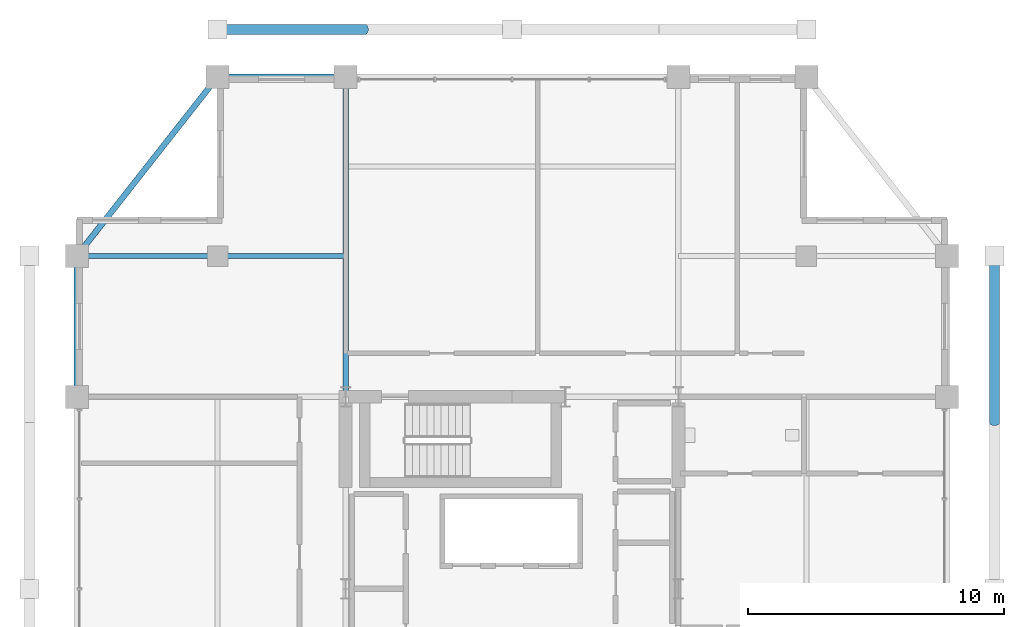
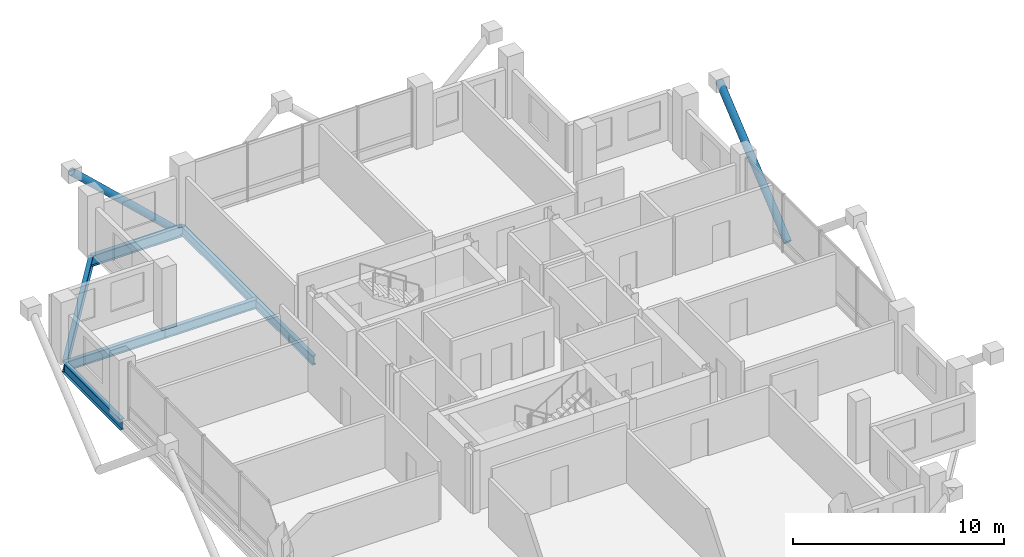
# One storey, part 13 of 22: 6 beams, 2 members.
"""IFC4 building model written with IfcOpenShell, lengths in metres."""

from ifc_helpers import new_model, si_unit, direction, frame, origin, origin_2d, place, context, subcontext, project, spatial, hollow_circle, i_section, extrude, material, material_profile, profile_set, type_object, element, save


model = new_model("IFC4")

# Units and contexts
model_context = context("Model", 3, precision=1e-05, world=origin(), true_north=direction((0.0, 1.0)))
body_context = subcontext(model_context, "Body", "Model", "MODEL_VIEW")
ifc_project = project(units=[si_unit("LENGTHUNIT", "METRE"), si_unit("AREAUNIT", "SQUARE_METRE"), si_unit("VOLUMEUNIT", "CUBIC_METRE"), si_unit("PLANEANGLEUNIT", "RADIAN"), si_unit("MASSUNIT", "GRAM", prefix="KILO")], contexts=[model_context])

# Site, building, storey
site_placement = place(None, origin())
site = spatial("IfcSite", under=ifc_project, at=site_placement, CompositionType="ELEMENT")
building_placement = place(site_placement, origin())
building = spatial("IfcBuilding", under=site, at=building_placement, Name="Barlavira Tower and Art Museum", CompositionType="ELEMENT")
storey_placement = place(building_placement, frame((0.0, 0.0, 258.300048828125)))
storey = spatial("IfcBuildingStorey", under=building, at=storey_placement, Name="L67", CompositionType="ELEMENT", Elevation=258.300048828125)

# Members
ifc_material = material(Name="Steel S355", Category="steel")
ifc_material_profile_1 = material_profile(ifc_material, hollow_circle(Radius=0.203125, WallThickness=0.01611328125, at=origin_2d()), Name="CHS 406.4x16.0")
ifc_profile_set_1 = profile_set([ifc_material_profile_1], Name="Steel S355")
member_type = type_object("IfcMemberType", Name="Pale-Metal Exoskeleton Diagrid Tube CHS 406x16 Steel S355", PredefinedType="BRACE", material=ifc_profile_set_1)
member_1_placement = place(storey_placement, frame((-5.75, 21.85009765625, -1.920166015625), z_axis=(-0.728934650808, 0.0, 0.684583285548), x_axis=(0.0, -1.0, 0.0)))
element("IfcMember", 1, at=member_1_placement, inside=storey, type_object=member_type, Name="L67 Exoskeleton Diagrid Tube N", PredefinedType="BRACE", context=body_context, shape_type="SweptSolid", body=[
    extrude(hollow_circle(Radius=0.203125, WallThickness=0.01611328125, at=origin_2d()), origin(), (0.0, 0.0, 1.0), 7.88818359375),
])
member_2_placement = place(storey_placement, frame((18.85009765625, 6.5, -1.920166015625), z_axis=(0.0, 0.76918185268, 0.639029950399), x_axis=(-1.0, 0.0, 0.0)))
element("IfcMember", 2, at=member_2_placement, inside=storey, type_object=member_type, Name="L67 Exoskeleton Diagrid Tube E", PredefinedType="BRACE", context=body_context, shape_type="SweptSolid", body=[
    extrude(hollow_circle(Radius=0.203125, WallThickness=0.01611328125, at=origin_2d()), origin(), (0.0, 0.0, 1.0), 8.450439453125),
])

# Beams
ifc_material_profile_2 = material_profile(ifc_material, i_section(OverallWidth=0.22998046875, OverallDepth=0.616943359375, WebThickness=0.01318359375, FlangeThickness=0.022216796875, at=origin_2d()), Name="W610x140.0")
ifc_profile_set_2 = profile_set([ifc_material_profile_2], Name="Steel S355")
beam_type_1 = type_object("IfcBeamType", Name="Upper Shaft Spandrel Edge Beam W610x140 Steel S355", PredefinedType="SPANDREL", material=ifc_profile_set_2)
beam_1_placement = place(storey_placement, frame((-11.5, 20.0, -0.528564453125), z_axis=(1.0, 0.0, 0.0), x_axis=(0.0, 1.0, 0.0)))
element("IfcBeam", 3, at=beam_1_placement, inside=storey, type_object=beam_type_1, Name="L67 Spandrel 11", PredefinedType="SPANDREL", context=body_context, shape_type="SweptSolid", body=[
    extrude(i_section(OverallWidth=0.22998046875, OverallDepth=0.616943359375, WebThickness=0.01318359375, FlangeThickness=0.022216796875, at=origin_2d()), origin(), (0.0, 0.0, 1.0), 5.0),
])
beam_2_placement = place(storey_placement, frame((-11.5, 20.0, -0.528564453125), z_axis=(-0.617821551932, -0.786318338822, 0.0), x_axis=(0.786318338822, -0.617821551932, 0.0)))
element("IfcBeam", 4, at=beam_2_placement, inside=storey, type_object=beam_type_1, Name="L67 Spandrel 12", PredefinedType="SPANDREL", context=body_context, shape_type="SweptSolid", body=[
    extrude(i_section(OverallWidth=0.22998046875, OverallDepth=0.616943359375, WebThickness=0.01318359375, FlangeThickness=0.022216796875, at=origin_2d()), origin(), (0.0, 0.0, 1.0), 8.90234375),
])
beam_3_placement = place(storey_placement, frame((-17.0, 7.5, -0.528564453125), z_axis=(0.0, 1.0, 0.0), x_axis=(-1.0, 0.0, 0.0)))
element("IfcBeam", 5, at=beam_3_placement, inside=storey, type_object=beam_type_1, Name="L67 Spandrel 13", PredefinedType="SPANDREL", context=body_context, shape_type="SweptSolid", body=[
    extrude(i_section(OverallWidth=0.22998046875, OverallDepth=0.616943359375, WebThickness=0.01318359375, FlangeThickness=0.022216796875, at=origin_2d()), origin(), (0.0, 0.0, 1.0), 5.5),
])
ifc_material_profile_3 = material_profile(ifc_material, i_section(OverallWidth=0.2109375, OverallDepth=0.5390625, WebThickness=0.01171875, FlangeThickness=0.018798828125, at=origin_2d()), Name="W530x109.0")
ifc_profile_set_3 = profile_set([ifc_material_profile_3], Name="Steel S355")
beam_type_2 = type_object("IfcBeamType", Name="Zone 3-4 Primary Floor Girder W530x109 Steel S355", PredefinedType="BEAM", material=ifc_profile_set_3)
beam_4_placement = place(storey_placement, frame((-6.5, 7.5, -0.489501953125), z_axis=(0.0, 1.0, 0.0), x_axis=(-1.0, 0.0, 0.0)))
element("IfcBeam", 6, at=beam_4_placement, inside=storey, type_object=beam_type_2, Name="L67 Girder R-N1", PredefinedType="BEAM", context=body_context, shape_type="SweptSolid", body=[
    extrude(i_section(OverallWidth=0.2109375, OverallDepth=0.5390625, WebThickness=0.01171875, FlangeThickness=0.018798828125, at=origin_2d()), origin(), (0.0, 0.0, 1.0), 12.5),
])
beam_5_placement = place(storey_placement, frame((-17.0, 13.0, -0.489501953125), z_axis=(1.0, 0.0, 0.0), x_axis=(0.0, 1.0, 0.0)))
element("IfcBeam", 7, at=beam_5_placement, inside=storey, type_object=beam_type_2, Name="L67 Girder I-N1", PredefinedType="BEAM", context=body_context, shape_type="SweptSolid", body=[
    extrude(i_section(OverallWidth=0.2109375, OverallDepth=0.5390625, WebThickness=0.01171875, FlangeThickness=0.018798828125, at=origin_2d()), origin(), (0.0, 0.0, 1.0), 5.5),
])
beam_6_placement = place(storey_placement, frame((-11.5, 13.0, -0.489501953125), z_axis=(1.0, 0.0, 0.0), x_axis=(0.0, 1.0, 0.0)))
element("IfcBeam", 8, at=beam_6_placement, inside=storey, type_object=beam_type_2, Name="L67 Girder I-N2", PredefinedType="BEAM", context=body_context, shape_type="SweptSolid", body=[
    extrude(i_section(OverallWidth=0.2109375, OverallDepth=0.5390625, WebThickness=0.01171875, FlangeThickness=0.018798828125, at=origin_2d()), origin(), (0.0, 0.0, 1.0), 5.0),
])

save(model, "model.ifc")
